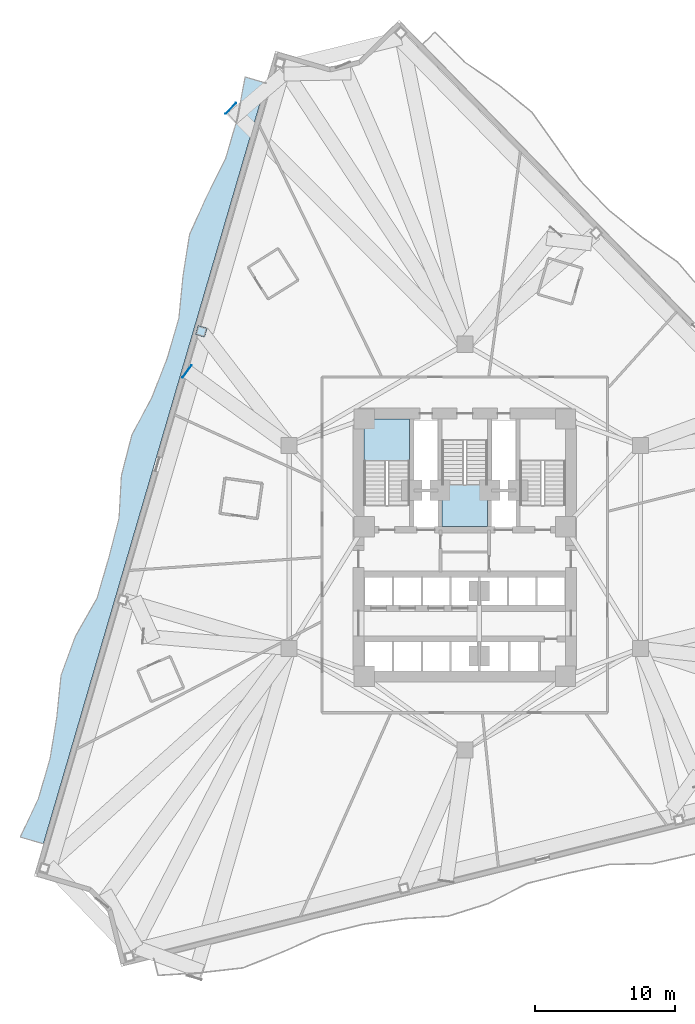
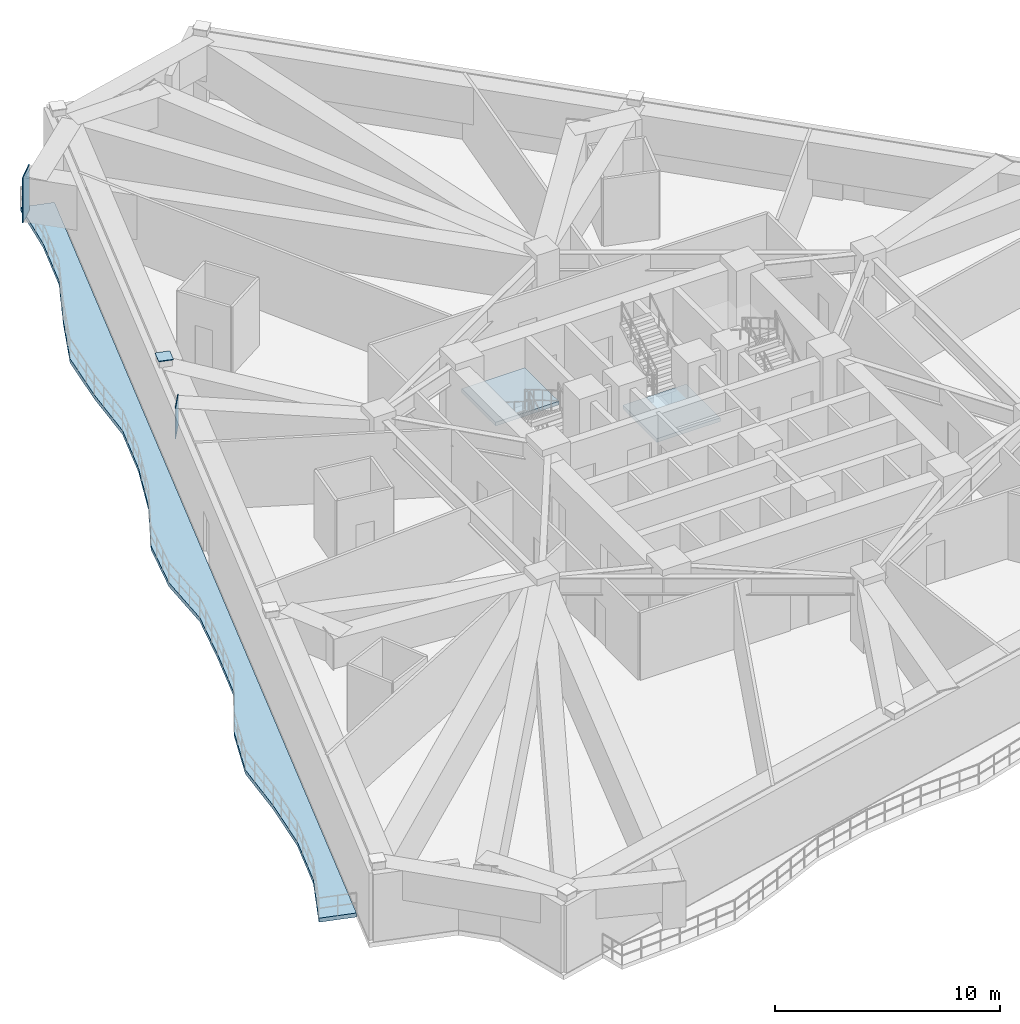
# One storey, part 4 of 14: 3 plates, 3 slabs, 2 elements without a shape of their own.
"""IFC4 building model written with IfcOpenShell, lengths in metres."""

from ifc_helpers import new_model, si_unit, direction, frame, origin, origin_2d, place, context, subcontext, project, spatial, polyline, rectangle, outline, extrude, material, layer, layer_set, type_object, element, aggregate, save


model = new_model("IFC4")

# Units and contexts
model_context = context("Model", 3, precision=1e-05, world=origin(), true_north=direction((0.0, 1.0)))
body_context = subcontext(model_context, "Body", "Model", "MODEL_VIEW")
ifc_project = project(units=[si_unit("LENGTHUNIT", "METRE"), si_unit("AREAUNIT", "SQUARE_METRE"), si_unit("VOLUMEUNIT", "CUBIC_METRE"), si_unit("PLANEANGLEUNIT", "RADIAN"), si_unit("MASSUNIT", "GRAM", prefix="KILO")], contexts=[model_context])

# Site, building, storey
site_placement = place(None, origin())
site = spatial("IfcSite", under=ifc_project, at=site_placement, CompositionType="ELEMENT")
building_placement = place(site_placement, origin())
building = spatial("IfcBuilding", under=site, at=building_placement, Name="Apsidion Concourse Tower", CompositionType="ELEMENT")
storey_placement = place(building_placement, frame((0.0, 0.0, 123.0)))
storey = spatial("IfcBuildingStorey", under=building, at=storey_placement, Name="L28", CompositionType="ELEMENT", Elevation=123.0)

# Plates
ifc_material_1 = material(Name="Structural steel ASTM A572 Grade 50", Category="steel")
ifc_layer_1 = layer(ifc_material_1, 0.034912109375)
ifc_layer_set_1 = layer_set([ifc_layer_1], Name="Structural steel ASTM A572 Grade 50")
plate_type = type_object("IfcPlateType", Name="PL-ENDCAP-35", PredefinedType="USERDEFINED", material=ifc_layer_set_1)
plate_1_placement = place(storey_placement, frame((-18.839111328125, 15.422119140625, 3.998046875), z_axis=(0.0, 0.0, 1.0), x_axis=(0.28083422227, 0.959756291775, 0.0)))
element("IfcPlate", 1, at=plate_1_placement, inside=storey, type_object=plate_type, Name="L28 Step-Top Column End-Cap Plate PCCAP-PC02", ObjectType="FLANGE_PLATE", PredefinedType="USERDEFINED", context=body_context, shape_type="SweptSolid", body=[
    extrude(rectangle(XDim=0.679931640625, YDim=0.679931640625, at=origin_2d()), origin(), (0.0, 0.0, 1.0), 0.0400390625),
])
plate_2_placement = place(storey_placement, frame((-16.736572265625, 31.361572265625, 1.2099609375), z_axis=(0.0, 0.0, 1.0), x_axis=(-0.704510355776, 0.709693707598, 0.0)))
element("IfcPlate", 2, at=plate_2_placement, inside=storey, type_object=plate_type, Name="L28 Radial Transfer Girder End-Cap Plate NTRCAP-01", ObjectType="FLANGE_PLATE", PredefinedType="USERDEFINED", context=body_context, shape_type="SweptSolid", body=[
    extrude(rectangle(XDim=0.044921875, YDim=1.080078125, at=origin_2d()), origin(), (0.0, 0.0, 1.0), 2.47998046875),
])
plate_3_placement = place(storey_placement, frame((-19.85595703125, 12.562744140625, 2.01025390625), z_axis=(0.0, 0.0, 1.0), x_axis=(-0.808401023617, 0.588632130464, 0.0)))
element("IfcPlate", 3, at=plate_3_placement, inside=storey, type_object=plate_type, Name="L28 Radial Transfer Girder End-Cap Plate NTRCAP-02", ObjectType="FLANGE_PLATE", PredefinedType="USERDEFINED", context=body_context, shape_type="SweptSolid", body=[
    extrude(rectangle(XDim=0.044921875, YDim=1.080078125, at=origin_2d()), origin(), (0.0, 0.0, 1.0), 1.679931640625),
])

# Slab
ifc_material_2 = material(Name="Concrete C50/60", Category="concrete")
ifc_layer_2 = layer(ifc_material_2, 0.219970703125)
ifc_layer_set_2 = layer_set([ifc_layer_2], Name="Concrete C50/60")
slab_type_1 = type_object("IfcSlabType", Name="SL-BAL-220", PredefinedType="FLOOR", material=ifc_layer_set_2)
slab_1_placement = place(storey_placement, frame((0.0, 0.0, -0.219970703125)))
element("IfcSlab", 4, at=slab_1_placement, inside=storey, type_object=slab_type_1, Name="L28 Face 1 Rippling Balcony Slab", PredefinedType="FLOOR", context=body_context, shape_type="SweptSolid", body=[
    extrude(outline(polyline([(-14.220458984375, 33.17431640625), (-15.05810546875, 30.311279296875), (-15.8955078125, 27.4482421875), (-16.73291015625, 24.58544921875), (-17.570556640625, 21.722412109375), (-18.407958984375, 18.859619140625), (-19.24560546875, 15.99658203125), (-20.0830078125, 13.133544921875), (-20.920654296875, 10.2705078125), (-21.758056640625, 7.40771484375), (-22.595703125, 4.544677734375), (-23.43310546875, 1.681884765625), (-24.2705078125, -1.18115234375), (-25.108154296875, -4.044189453125), (-25.94580078125, -6.906982421875), (-26.783203125, -9.77001953125), (-27.62060546875, -12.633056640625), (-28.458251953125, -15.495849609375), (-29.295654296875, -18.35888671875), (-30.13330078125, -21.2216796875), (-31.784423828125, -20.73876953125), (-30.49560546875, -18.0078125), (-29.657958984375, -15.14501953125), (-29.175048828125, -12.17822265625), (-28.868408203125, -9.16015625), (-27.831298828125, -6.35546875), (-26.307861328125, -3.693115234375), (-25.470458984375, -0.830078125), (-24.72509765625, 2.059814453125), (-24.552978515625, 5.1171875), (-23.806640625, 8.007080078125), (-22.374755859375, 10.696044921875), (-21.28271484375, 13.484619140625), (-20.4453125, 16.347412109375), (-20.153564453125, 19.3701171875), (-19.681884765625, 22.340087890625), (-18.44775390625, 25.0869140625), (-17.09521484375, 27.79931640625), (-16.2578125, 30.662109375), (-15.7080078125, 33.609375), (-14.220458984375, 33.17431640625)])), origin(), (0.0, 0.0, 1.0), 0.219970703125),
])

# Stair, slab
ifc_material_3 = material(Name="Precast concrete C40/50", Category="concrete")
stair_type = type_object("IfcStairType", Name="ST-DL-1550", PredefinedType="HALF_TURN_STAIR", material=ifc_material_3)
stair_1_placement = place(storey_placement, origin())
stair_1 = element("IfcStair", 5, at=stair_1_placement, inside=storey, type_object=stair_type, Name="L28 Protected Core Exit Stair ST1", PredefinedType="HALF_TURN_STAIR")
ifc_layer_3 = layer(ifc_material_2, 0.199951171875)
ifc_layer_set_3 = layer_set([ifc_layer_3], Name="Concrete C50/60")
slab_type_2 = type_object("IfcSlabType", Name="SL-ST-LAND-200", PredefinedType="LANDING", material=ifc_layer_set_3)
slab_2_placement = place(storey_placement, frame((0.0, 0.0, 1.800048828125)))
slab_2 = element("IfcSlab", 6, at=slab_2_placement, type_object=slab_type_2, Name="ST1 landing 1", PredefinedType="LANDING", context=body_context, shape_type="SweptSolid", body=[
    extrude(outline(polyline([(-3.949951171875, 6.135009765625), (-3.949951171875, 9.14990234375), (-7.199951171875, 9.14990234375), (-7.199951171875, 6.135009765625), (-3.949951171875, 6.135009765625)])), origin(), (0.0, 0.0, 1.0), 0.199951171875),
])
aggregate(stair_1, [slab_2])

stair_2_placement = place(storey_placement, origin())
stair_2 = element("IfcStair", 7, at=stair_2_placement, inside=storey, type_object=stair_type, Name="L28 Protected Core Exit Stair ST3", PredefinedType="HALF_TURN_STAIR")
slab_3_placement = place(storey_placement, frame((0.0, 0.0, 1.800048828125)))
slab_3 = element("IfcSlab", 8, at=slab_3_placement, type_object=slab_type_2, Name="ST3 landing 1", PredefinedType="LANDING", context=body_context, shape_type="SweptSolid", body=[
    extrude(outline(polyline([(-1.625, 4.465087890625), (-1.625, 1.449951171875), (1.625, 1.449951171875), (1.625, 4.465087890625), (-1.625, 4.465087890625)])), origin(), (0.0, 0.0, 1.0), 0.199951171875),
])
aggregate(stair_2, [slab_3])

save(model, "model.ifc")
